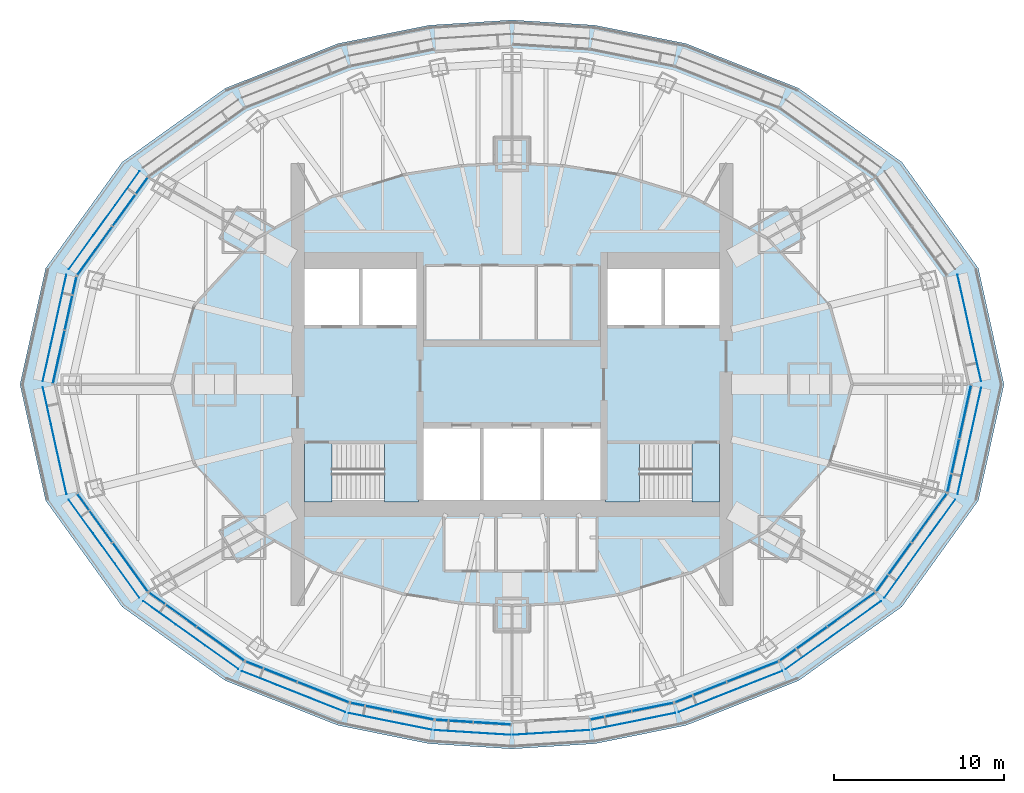
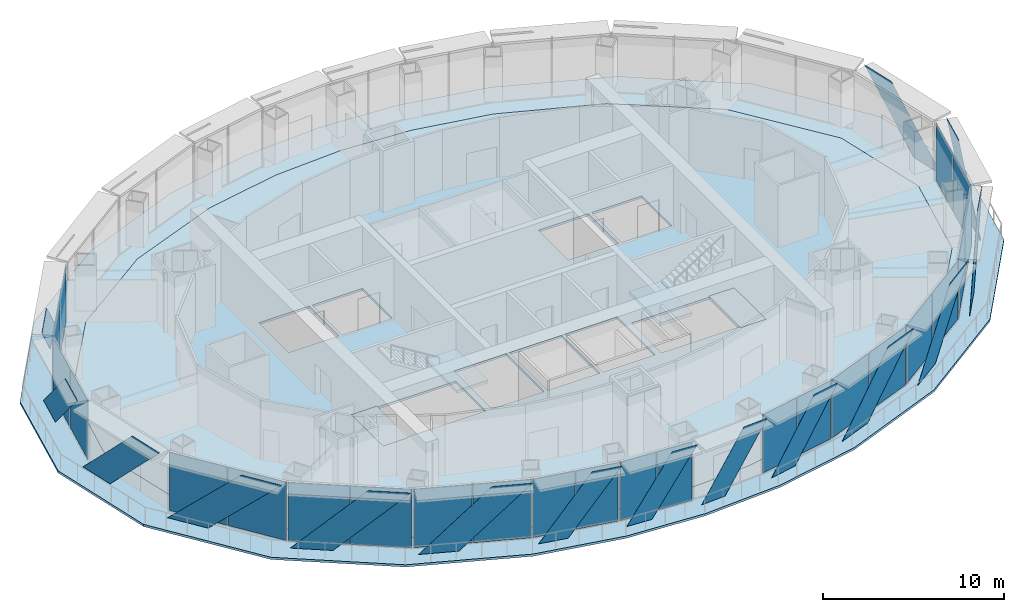
# One storey, part 9 of 17: 39 plates, 6 slabs, 14 elements without a shape of their own.
"""IFC4 building model written with IfcOpenShell, lengths in metres."""

from ifc_helpers import new_model, si_unit, direction, frame, origin, origin_2d, place, context, subcontext, project, spatial, polyline, rectangle, outline, extrude, material, layer, layer_set, type_object, element, aggregate, save


model = new_model("IFC4")

# Units and contexts
model_context = context("Model", 3, precision=1e-05, world=origin(), true_north=direction((0.0, 1.0)))
body_context = subcontext(model_context, "Body", "Model", "MODEL_VIEW")
ifc_project = project(units=[si_unit("LENGTHUNIT", "METRE"), si_unit("AREAUNIT", "SQUARE_METRE"), si_unit("VOLUMEUNIT", "CUBIC_METRE"), si_unit("PLANEANGLEUNIT", "RADIAN"), si_unit("MASSUNIT", "GRAM", prefix="KILO")], contexts=[model_context])

# Site, building, storey
site_placement = place(None, origin())
site = spatial("IfcSite", under=ifc_project, at=site_placement, CompositionType="ELEMENT")
building_placement = place(site_placement, origin())
building = spatial("IfcBuilding", under=site, at=building_placement, Name="Lantaw Convention Tower", CompositionType="ELEMENT")
storey_placement = place(building_placement, frame((0.0, 0.0, 199.0)))
storey = spatial("IfcBuildingStorey", under=building, at=storey_placement, Name="L46", CompositionType="ELEMENT", Elevation=199.0)

# Curtain wall, plates
ifc_material_1 = material(Name="Aluminium framed curtain wall", Category="aluminium")
curtain_wall_type = type_object("IfcCurtainWallType", Name="Office curtain wall high rise, pale aluminium", PredefinedType="USERDEFINED", material=ifc_material_1)
curtain_wall_1_placement = place(storey_placement, origin())
curtain_wall_1 = element("IfcCurtainWall", 1, at=curtain_wall_1_placement, inside=storey, type_object=curtain_wall_type, Name="Office curtain wall high rise, pale aluminium L46", ObjectType="UNITISED CURTAIN WALL", PredefinedType="USERDEFINED")
ifc_material_2 = material(Name="Clear insulating glass", Category="glass")
ifc_layer_1 = layer(ifc_material_2, 0.028076171875)
ifc_layer_set_1 = layer_set([ifc_layer_1], Name="CW-O2 panel 28")
plate_type_1 = type_object("IfcPlateType", Name="CW-O2 panel 28", PredefinedType="CURTAIN_PANEL", material=ifc_layer_set_1)
plate_1_placement = place(storey_placement, frame((-22.4404296875, 10.743896484375, 0.06494140625), z_axis=(0.0, 0.0, 1.0), x_axis=(-0.585157643865, -0.810919559405, 0.0)))
plate_1 = element("IfcPlate", 2, at=plate_1_placement, type_object=plate_type_1, Name="CW-O2 panel 1.1", PredefinedType="CURTAIN_PANEL", context=body_context, shape_type="SweptSolid", body=[
    extrude(rectangle(XDim=3.500732421875, YDim=0.028076171875, at=origin_2d()), origin(), (0.0, 0.0, 1.0), 3.919921875),
])
plate_2_placement = place(storey_placement, frame((-24.527099609375, 7.852294921875, 0.06494140625), z_axis=(0.0, 0.0, 1.0), x_axis=(-0.585157643865, -0.810919559405, 0.0)))
plate_2 = element("IfcPlate", 3, at=plate_2_placement, type_object=plate_type_1, Name="CW-O2 panel 2.1", PredefinedType="CURTAIN_PANEL", context=body_context, shape_type="SweptSolid", body=[
    extrude(rectangle(XDim=3.500732421875, YDim=0.028076171875, at=origin_2d()), origin(), (0.0, 0.0, 1.0), 3.919921875),
])
aggregate(curtain_wall_1, [plate_1, plate_2])

curtain_wall_2_placement = place(storey_placement, origin())
curtain_wall_2 = element("IfcCurtainWall", 4, at=curtain_wall_2_placement, inside=storey, type_object=curtain_wall_type, Name="Office curtain wall high rise, pale aluminium L46", ObjectType="UNITISED CURTAIN WALL", PredefinedType="USERDEFINED")
plate_3_placement = place(storey_placement, frame((-25.945556640625, 4.769287109375, 0.06494140625), z_axis=(0.0, 0.0, 1.0), x_axis=(-0.215891333626, -0.976417396437, 0.0)))
plate_3 = element("IfcPlate", 5, at=plate_3_placement, type_object=plate_type_1, Name="CW-O2 panel 1.1", PredefinedType="CURTAIN_PANEL", context=body_context, shape_type="SweptSolid", body=[
    extrude(rectangle(XDim=3.169677734375, YDim=0.028076171875, at=origin_2d()), origin(), (0.0, 0.0, 1.0), 3.919921875),
])
plate_4_placement = place(storey_placement, frame((-26.643798828125, 1.61083984375, 0.06494140625), z_axis=(0.0, 0.0, 1.0), x_axis=(-0.215891333626, -0.976417396437, 0.0)))
plate_4 = element("IfcPlate", 6, at=plate_4_placement, type_object=plate_type_1, Name="CW-O2 panel 2.1", PredefinedType="CURTAIN_PANEL", context=body_context, shape_type="SweptSolid", body=[
    extrude(rectangle(XDim=3.169677734375, YDim=0.028076171875, at=origin_2d()), origin(), (0.0, 0.0, 1.0), 3.919921875),
])
aggregate(curtain_wall_2, [plate_3, plate_4])

curtain_wall_3_placement = place(storey_placement, origin())
curtain_wall_3 = element("IfcCurtainWall", 7, at=curtain_wall_3_placement, inside=storey, type_object=curtain_wall_type, Name="Office curtain wall high rise, pale aluminium L46", ObjectType="UNITISED CURTAIN WALL", PredefinedType="USERDEFINED")
plate_5_placement = place(storey_placement, frame((-24.527099609375, -7.852294921875, 0.06494140625), z_axis=(0.0, 0.0, 1.0), x_axis=(0.585157643865, -0.810919559405, 0.0)))
plate_5 = element("IfcPlate", 8, at=plate_5_placement, type_object=plate_type_1, Name="CW-O2 panel 1.1", PredefinedType="CURTAIN_PANEL", context=body_context, shape_type="SweptSolid", body=[
    extrude(rectangle(XDim=3.500732421875, YDim=0.028076171875, at=origin_2d()), origin(), (0.0, 0.0, 1.0), 3.919921875),
])
plate_6_placement = place(storey_placement, frame((-22.4404296875, -10.743896484375, 0.06494140625), z_axis=(0.0, 0.0, 1.0), x_axis=(0.585157643865, -0.810919559405, 0.0)))
plate_6 = element("IfcPlate", 9, at=plate_6_placement, type_object=plate_type_1, Name="CW-O2 panel 2.1", PredefinedType="CURTAIN_PANEL", context=body_context, shape_type="SweptSolid", body=[
    extrude(rectangle(XDim=3.500732421875, YDim=0.028076171875, at=origin_2d()), origin(), (0.0, 0.0, 1.0), 3.919921875),
])
aggregate(curtain_wall_3, [plate_5, plate_6])

curtain_wall_4_placement = place(storey_placement, origin())
curtain_wall_4 = element("IfcCurtainWall", 10, at=curtain_wall_4_placement, inside=storey, type_object=curtain_wall_type, Name="Office curtain wall high rise, pale aluminium L46", ObjectType="UNITISED CURTAIN WALL", PredefinedType="USERDEFINED")
plate_7_placement = place(storey_placement, frame((-19.947509765625, -13.23828125, 0.06494140625), z_axis=(0.0, 0.0, 1.0), x_axis=(0.813672540482, -0.581323487281, 0.0)))
plate_7 = element("IfcPlate", 11, at=plate_7_placement, type_object=plate_type_1, Name="CW-O2 panel 1.1", PredefinedType="CURTAIN_PANEL", context=body_context, shape_type="SweptSolid", body=[
    extrude(rectangle(XDim=3.386474609375, YDim=0.028076171875, at=origin_2d()), origin(), (0.0, 0.0, 1.0), 3.919921875),
])
plate_8_placement = place(storey_placement, frame((-17.13916015625, -15.24462890625, 0.06494140625), z_axis=(0.0, 0.0, 1.0), x_axis=(0.813672540482, -0.581323487281, 0.0)))
plate_8 = element("IfcPlate", 12, at=plate_8_placement, type_object=plate_type_1, Name="CW-O2 panel 2.1", PredefinedType="CURTAIN_PANEL", context=body_context, shape_type="SweptSolid", body=[
    extrude(rectangle(XDim=3.386474609375, YDim=0.028076171875, at=origin_2d()), origin(), (0.0, 0.0, 1.0), 3.919921875),
])
aggregate(curtain_wall_4, [plate_7, plate_8])

curtain_wall_5_placement = place(storey_placement, origin())
curtain_wall_5 = element("IfcCurtainWall", 13, at=curtain_wall_5_placement, inside=storey, type_object=curtain_wall_type, Name="Office curtain wall high rise, pale aluminium L46", ObjectType="UNITISED CURTAIN WALL", PredefinedType="USERDEFINED")
plate_9_placement = place(storey_placement, frame((-14.14990234375, -16.8837890625, 0.06494140625), z_axis=(0.0, 0.0, 1.0), x_axis=(0.929761533743, -0.368162315252, 0.0)))
plate_9 = element("IfcPlate", 14, at=plate_9_placement, type_object=plate_type_1, Name="CW-O2 panel 1.1", PredefinedType="CURTAIN_PANEL", context=body_context, shape_type="SweptSolid", body=[
    extrude(rectangle(XDim=3.222900390625, YDim=0.028076171875, at=origin_2d()), origin(), (0.0, 0.0, 1.0), 3.919921875),
])
plate_10_placement = place(storey_placement, frame((-11.0927734375, -18.094482421875, 0.06494140625), z_axis=(0.0, 0.0, 1.0), x_axis=(0.929761533743, -0.368162315252, 0.0)))
plate_10 = element("IfcPlate", 15, at=plate_10_placement, type_object=plate_type_1, Name="CW-O2 panel 2.1", PredefinedType="CURTAIN_PANEL", context=body_context, shape_type="SweptSolid", body=[
    extrude(rectangle(XDim=3.222900390625, YDim=0.028076171875, at=origin_2d()), origin(), (0.0, 0.0, 1.0), 3.919921875),
])
aggregate(curtain_wall_5, [plate_9, plate_10])

curtain_wall_6_placement = place(storey_placement, origin())
curtain_wall_6 = element("IfcCurtainWall", 16, at=curtain_wall_6_placement, inside=storey, type_object=curtain_wall_type, Name="Office curtain wall high rise, pale aluminium L46", ObjectType="UNITISED CURTAIN WALL", PredefinedType="USERDEFINED")
plate_11_placement = place(storey_placement, frame((-8.2724609375, -18.96533203125, 0.06494140625), z_axis=(0.0, 0.0, 1.0), x_axis=(0.980366679695, -0.197183095987, 0.0)))
plate_11 = element("IfcPlate", 17, at=plate_11_placement, type_object=plate_type_1, Name="CW-O2 panel 1.1", PredefinedType="CURTAIN_PANEL", context=body_context, shape_type="SweptSolid", body=[
    extrude(rectangle(XDim=2.44384765625, YDim=0.028076171875, at=origin_2d()), origin(), (0.0, 0.0, 1.0), 3.919921875),
])
plate_12_placement = place(storey_placement, frame((-5.81298828125, -19.4599609375, 0.06494140625), z_axis=(0.0, 0.0, 1.0), x_axis=(0.980366679695, -0.197183095987, 0.0)))
plate_12 = element("IfcPlate", 18, at=plate_12_placement, type_object=plate_type_1, Name="CW-O2 panel 2.1", PredefinedType="CURTAIN_PANEL", context=body_context, shape_type="SweptSolid", body=[
    extrude(rectangle(XDim=2.44384765625, YDim=0.028076171875, at=origin_2d()), origin(), (0.0, 0.0, 1.0), 3.919921875),
])
aggregate(curtain_wall_6, [plate_11, plate_12])

curtain_wall_7_placement = place(storey_placement, origin())
curtain_wall_7 = element("IfcCurtainWall", 19, at=curtain_wall_7_placement, inside=storey, type_object=curtain_wall_type, Name="Office curtain wall high rise, pale aluminium L46", ObjectType="UNITISED CURTAIN WALL", PredefinedType="USERDEFINED")
plate_13_placement = place(storey_placement, frame((-3.397216796875, -19.786376953125, 0.06494140625), z_axis=(0.0, 0.0, 1.0), x_axis=(0.998028774865, -0.062757983884, 0.0)))
plate_13 = element("IfcPlate", 20, at=plate_13_placement, type_object=plate_type_1, Name="CW-O2 panel 1.1", PredefinedType="CURTAIN_PANEL", context=body_context, shape_type="SweptSolid", body=[
    extrude(rectangle(XDim=2.1826171875, YDim=0.028076171875, at=origin_2d()), origin(), (0.0, 0.0, 1.0), 3.919921875),
])
plate_14_placement = place(storey_placement, frame((-1.154052734375, -19.927490234375, 0.06494140625), z_axis=(0.0, 0.0, 1.0), x_axis=(0.998028774865, -0.062757983884, 0.0)))
plate_14 = element("IfcPlate", 21, at=plate_14_placement, type_object=plate_type_1, Name="CW-O2 panel 2.1", PredefinedType="CURTAIN_PANEL", context=body_context, shape_type="SweptSolid", body=[
    extrude(rectangle(XDim=2.1826171875, YDim=0.028076171875, at=origin_2d()), origin(), (0.0, 0.0, 1.0), 3.919921875),
])
aggregate(curtain_wall_7, [plate_13, plate_14])

curtain_wall_8_placement = place(storey_placement, origin())
curtain_wall_8 = element("IfcCurtainWall", 22, at=curtain_wall_8_placement, inside=storey, type_object=curtain_wall_type, Name="Office curtain wall high rise, pale aluminium L46", ObjectType="UNITISED CURTAIN WALL", PredefinedType="USERDEFINED")
plate_15_placement = place(storey_placement, frame((5.81298828125, -19.4599609375, 0.06494140625), z_axis=(0.0, 0.0, 1.0), x_axis=(0.980366679695, 0.197183095987, 0.0)))
plate_15 = element("IfcPlate", 23, at=plate_15_placement, type_object=plate_type_1, Name="CW-O2 panel 1.1", PredefinedType="CURTAIN_PANEL", context=body_context, shape_type="SweptSolid", body=[
    extrude(rectangle(XDim=2.44384765625, YDim=0.028076171875, at=origin_2d()), origin(), (0.0, 0.0, 1.0), 3.919921875),
])
plate_16_placement = place(storey_placement, frame((8.2724609375, -18.96533203125, 0.06494140625), z_axis=(0.0, 0.0, 1.0), x_axis=(0.980366679695, 0.197183095987, 0.0)))
plate_16 = element("IfcPlate", 24, at=plate_16_placement, type_object=plate_type_1, Name="CW-O2 panel 2.1", PredefinedType="CURTAIN_PANEL", context=body_context, shape_type="SweptSolid", body=[
    extrude(rectangle(XDim=2.44384765625, YDim=0.028076171875, at=origin_2d()), origin(), (0.0, 0.0, 1.0), 3.919921875),
])
aggregate(curtain_wall_8, [plate_15, plate_16])

curtain_wall_9_placement = place(storey_placement, origin())
curtain_wall_9 = element("IfcCurtainWall", 25, at=curtain_wall_9_placement, inside=storey, type_object=curtain_wall_type, Name="Office curtain wall high rise, pale aluminium L46", ObjectType="UNITISED CURTAIN WALL", PredefinedType="USERDEFINED")
plate_17_placement = place(storey_placement, frame((11.0927734375, -18.094482421875, 0.06494140625), z_axis=(0.0, 0.0, 1.0), x_axis=(0.929761533743, 0.368162315252, 0.0)))
plate_17 = element("IfcPlate", 26, at=plate_17_placement, type_object=plate_type_1, Name="CW-O2 panel 1.1", PredefinedType="CURTAIN_PANEL", context=body_context, shape_type="SweptSolid", body=[
    extrude(rectangle(XDim=3.222900390625, YDim=0.028076171875, at=origin_2d()), origin(), (0.0, 0.0, 1.0), 3.919921875),
])
plate_18_placement = place(storey_placement, frame((14.14990234375, -16.8837890625, 0.06494140625), z_axis=(0.0, 0.0, 1.0), x_axis=(0.929761533743, 0.368162315252, 0.0)))
plate_18 = element("IfcPlate", 27, at=plate_18_placement, type_object=plate_type_1, Name="CW-O2 panel 2.1", PredefinedType="CURTAIN_PANEL", context=body_context, shape_type="SweptSolid", body=[
    extrude(rectangle(XDim=3.222900390625, YDim=0.028076171875, at=origin_2d()), origin(), (0.0, 0.0, 1.0), 3.919921875),
])
aggregate(curtain_wall_9, [plate_17, plate_18])

curtain_wall_10_placement = place(storey_placement, origin())
curtain_wall_10 = element("IfcCurtainWall", 28, at=curtain_wall_10_placement, inside=storey, type_object=curtain_wall_type, Name="Office curtain wall high rise, pale aluminium L46", ObjectType="UNITISED CURTAIN WALL", PredefinedType="USERDEFINED")
plate_19_placement = place(storey_placement, frame((17.13916015625, -15.24462890625, 0.06494140625), z_axis=(0.0, 0.0, 1.0), x_axis=(0.813672540482, 0.581323487281, 0.0)))
plate_19 = element("IfcPlate", 29, at=plate_19_placement, type_object=plate_type_1, Name="CW-O2 panel 1.1", PredefinedType="CURTAIN_PANEL", context=body_context, shape_type="SweptSolid", body=[
    extrude(rectangle(XDim=3.386474609375, YDim=0.028076171875, at=origin_2d()), origin(), (0.0, 0.0, 1.0), 3.919921875),
])
plate_20_placement = place(storey_placement, frame((19.947509765625, -13.23828125, 0.06494140625), z_axis=(0.0, 0.0, 1.0), x_axis=(0.813672540482, 0.581323487281, 0.0)))
plate_20 = element("IfcPlate", 30, at=plate_20_placement, type_object=plate_type_1, Name="CW-O2 panel 2.1", PredefinedType="CURTAIN_PANEL", context=body_context, shape_type="SweptSolid", body=[
    extrude(rectangle(XDim=3.386474609375, YDim=0.028076171875, at=origin_2d()), origin(), (0.0, 0.0, 1.0), 3.919921875),
])
aggregate(curtain_wall_10, [plate_19, plate_20])

curtain_wall_11_placement = place(storey_placement, origin())
curtain_wall_11 = element("IfcCurtainWall", 31, at=curtain_wall_11_placement, inside=storey, type_object=curtain_wall_type, Name="Office curtain wall high rise, pale aluminium L46", ObjectType="UNITISED CURTAIN WALL", PredefinedType="USERDEFINED")
plate_21_placement = place(storey_placement, frame((22.4404296875, -10.743896484375, 0.06494140625), z_axis=(0.0, 0.0, 1.0), x_axis=(0.585157643865, 0.810919559405, 0.0)))
plate_21 = element("IfcPlate", 32, at=plate_21_placement, type_object=plate_type_1, Name="CW-O2 panel 1.1", PredefinedType="CURTAIN_PANEL", context=body_context, shape_type="SweptSolid", body=[
    extrude(rectangle(XDim=3.500732421875, YDim=0.028076171875, at=origin_2d()), origin(), (0.0, 0.0, 1.0), 3.919921875),
])
plate_22_placement = place(storey_placement, frame((24.527099609375, -7.852294921875, 0.06494140625), z_axis=(0.0, 0.0, 1.0), x_axis=(0.585157643865, 0.810919559405, 0.0)))
plate_22 = element("IfcPlate", 33, at=plate_22_placement, type_object=plate_type_1, Name="CW-O2 panel 2.1", PredefinedType="CURTAIN_PANEL", context=body_context, shape_type="SweptSolid", body=[
    extrude(rectangle(XDim=3.500732421875, YDim=0.028076171875, at=origin_2d()), origin(), (0.0, 0.0, 1.0), 3.919921875),
])
aggregate(curtain_wall_11, [plate_21, plate_22])

curtain_wall_12_placement = place(storey_placement, origin())
curtain_wall_12 = element("IfcCurtainWall", 34, at=curtain_wall_12_placement, inside=storey, type_object=curtain_wall_type, Name="Office curtain wall high rise, pale aluminium L46", ObjectType="UNITISED CURTAIN WALL", PredefinedType="USERDEFINED")
plate_23_placement = place(storey_placement, frame((25.945556640625, -4.769287109375, 0.06494140625), z_axis=(0.0, 0.0, 1.0), x_axis=(0.215891333626, 0.976417396437, 0.0)))
plate_23 = element("IfcPlate", 35, at=plate_23_placement, type_object=plate_type_1, Name="CW-O2 panel 1.1", PredefinedType="CURTAIN_PANEL", context=body_context, shape_type="SweptSolid", body=[
    extrude(rectangle(XDim=3.169677734375, YDim=0.028076171875, at=origin_2d()), origin(), (0.0, 0.0, 1.0), 3.919921875),
])
plate_24_placement = place(storey_placement, frame((26.643798828125, -1.61083984375, 0.06494140625), z_axis=(0.0, 0.0, 1.0), x_axis=(0.215891333626, 0.976417396437, 0.0)))
plate_24 = element("IfcPlate", 36, at=plate_24_placement, type_object=plate_type_1, Name="CW-O2 panel 2.1", PredefinedType="CURTAIN_PANEL", context=body_context, shape_type="SweptSolid", body=[
    extrude(rectangle(XDim=3.169677734375, YDim=0.028076171875, at=origin_2d()), origin(), (0.0, 0.0, 1.0), 3.919921875),
])
aggregate(curtain_wall_12, [plate_23, plate_24])

# Slab
ifc_material_3 = material(Name="Concrete C35/45", Category="concrete")
ifc_layer_2 = layer(ifc_material_3, 0.14990234375)
ifc_layer_set_2 = layer_set([ifc_layer_2], Name="Floor slab 150")
slab_type_1 = type_object("IfcSlabType", Name="Floor slab 150", PredefinedType="FLOOR", material=ifc_layer_set_2)
slab_1_placement = place(storey_placement, frame((0.0, 0.0, -0.14990234375)))
element("IfcSlab", 37, at=slab_1_placement, inside=storey, type_object=slab_type_1, Name="L46 floor slab", PredefinedType="FLOOR", context=body_context, shape_type="SweptSolid", body=[
    extrude(outline(polyline([(20.423095703125, -11.67041015625), (24.52197265625, -6.114013671875), (25.89990234375, 0.0), (24.52197265625, 6.114013671875), (20.423095703125, 11.67041015625), (14.9443359375, 15.475341796875), (9.03466796875, 17.7314453125), (4.303955078125, 18.64208984375), (0.0, 18.89990234375), (-4.303955078125, 18.64208984375), (-9.03466796875, 17.7314453125), (-14.9443359375, 15.475341796875), (-20.423095703125, 11.67041015625), (-24.52197265625, 6.114013671875), (-25.89990234375, 0.0), (-24.52197265625, -6.114013671875), (-20.423095703125, -11.67041015625), (-14.9443359375, -15.475341796875), (-9.03466796875, -17.7314453125), (-4.303955078125, -18.64208984375), (0.0, -18.89990234375), (4.303955078125, -18.64208984375), (9.03466796875, -17.7314453125), (14.9443359375, -15.475341796875), (20.423095703125, -11.67041015625)]), holes=[polyline([(-5.60009765625, -3.5), (-12.199951171875, -3.5), (-12.199951171875, -6.800048828125), (-5.60009765625, -6.800048828125), (-5.60009765625, -3.5)]), polyline([(12.199951171875, -3.5), (5.60009765625, -3.5), (5.60009765625, -6.800048828125), (12.199951171875, -6.800048828125), (12.199951171875, -3.5)]), polyline([(-1.86669921875, -2.60009765625), (-5.199951171875, -2.60009765625), (-5.199951171875, -6.800048828125), (-1.86669921875, -6.800048828125), (-1.86669921875, -2.60009765625)]), polyline([(1.666748046875, -2.60009765625), (-1.666748046875, -2.60009765625), (-1.666748046875, -6.800048828125), (1.666748046875, -6.800048828125), (1.666748046875, -2.60009765625)]), polyline([(5.199951171875, -2.60009765625), (1.86669921875, -2.60009765625), (1.86669921875, -6.800048828125), (5.199951171875, -6.800048828125), (5.199951171875, -2.60009765625)]), polyline([(-9.0, 6.800048828125), (-12.199951171875, 6.800048828125), (-12.199951171875, 3.5), (-9.0, 3.5), (-9.0, 6.800048828125)]), polyline([(-5.60009765625, 6.800048828125), (-8.800048828125, 6.800048828125), (-8.800048828125, 3.5), (-5.60009765625, 3.5), (-5.60009765625, 6.800048828125)]), polyline([(8.800048828125, 3.5), (8.800048828125, 6.800048828125), (5.60009765625, 6.800048828125), (5.60009765625, 3.5), (8.800048828125, 3.5)]), polyline([(12.199951171875, 3.5), (12.199951171875, 6.800048828125), (9.0, 6.800048828125), (9.0, 3.5), (12.199951171875, 3.5)])]), origin(), (0.0, 0.0, 1.0), 0.14990234375),
])

# Plates
ifc_material_4 = material(Name="Perforated aluminium sheet, pale silver finish", Category="aluminium")
ifc_layer_3 = layer(ifc_material_4, 0.006103515625)
ifc_layer_set_3 = layer_set([ifc_layer_3], Name="Perforated aluminium solar SCREEN panel")
plate_type_2 = type_object("IfcPlateType", Name="Perforated aluminium solar SCREEN panel", PredefinedType="SHEET", material=ifc_layer_set_3)
plate_25_placement = place(storey_placement, frame((27.580810546875, 0.1796875, -0.175048828125), z_axis=(0.976429511424, 0.215836529031, 4.4219438e-05), x_axis=(-0.215836529242, 0.976429512379, 0.0)))
element("IfcPlate", 38, at=plate_25_placement, inside=storey, type_object=plate_type_2, Name="Solar SCREEN panel", PredefinedType="SHEET", context=body_context, shape_type="SweptSolid", body=[
    extrude(outline(polyline([(0.0, 0.0), (2.2215525295212517, -3.3881317890172014e-21), (6.4341686174090675, 4.340087894868215), (4.212616087887817, 4.340087894868215), (0.0, 0.0)])), origin(), (0.0, 0.0, -1.0), 0.006103515625),
])
plate_26_placement = place(storey_placement, frame((-21.898681640625, 12.530029296875, -0.175048828125), z_axis=(-0.810892289695, 0.585195432394, 2.0458414e-05), x_axis=(-0.585195432516, -0.810892289865, 0.0)))
element("IfcPlate", 39, at=plate_26_placement, inside=storey, type_object=plate_type_2, Name="Solar SCREEN panel", PredefinedType="SHEET", context=body_context, shape_type="SweptSolid", body=[
    extrude(outline(polyline([(0.0, 0.0), (2.446848840683286, -6.776263578034403e-21), (7.09661046667572, 4.340087891533265), (4.649761625992435, 4.340087891533265), (0.0, 0.0)])), origin(), (0.0, 0.0, -1.0), 0.006103515625),
])
plate_27_placement = place(storey_placement, frame((-26.19189453125, 6.462158203125, -0.175048828125), z_axis=(0.976429511424, -0.215836529031, 4.4219438e-05), x_axis=(-0.215836529242, -0.976429512379, 0.0)))
element("IfcPlate", 40, at=plate_27_placement, inside=storey, type_object=plate_type_2, Name="Solar SCREEN panel", PredefinedType="SHEET", context=body_context, shape_type="SweptSolid", body=[
    extrude(outline(polyline([(0.0, 0.0), (2.2215525295212517, 3.3881317890172014e-21), (6.4341686174090675, -4.340087894868215), (4.212616087887817, -4.340087894868215), (0.0, 0.0)])), origin(), (0.0, 0.0, -1.0), 0.006103515625),
])
plate_28_placement = place(storey_placement, frame((-27.580810546875, -0.1796875, -0.175048828125), z_axis=(-0.976429511424, -0.215836529031, 4.4219438e-05), x_axis=(0.215836529242, -0.976429512379, 0.0)))
element("IfcPlate", 41, at=plate_28_placement, inside=storey, type_object=plate_type_2, Name="Solar SCREEN panel", PredefinedType="SHEET", context=body_context, shape_type="SweptSolid", body=[
    extrude(outline(polyline([(0.0, 0.0), (2.2215525295212517, -3.3881317890172014e-21), (6.4341686174090675, 4.340087894868215), (4.212616087887817, 4.340087894868215), (0.0, 0.0)])), origin(), (0.0, 0.0, -1.0), 0.006103515625),
])
plate_29_placement = place(storey_placement, frame((-26.051513671875, -6.775390625, -0.175048828125), z_axis=(0.810892289695, 0.585195432394, 2.0458414e-05), x_axis=(0.585195432516, -0.810892289865, 0.0)))
element("IfcPlate", 42, at=plate_29_placement, inside=storey, type_object=plate_type_2, Name="Solar SCREEN panel", PredefinedType="SHEET", context=body_context, shape_type="SweptSolid", body=[
    extrude(outline(polyline([(0.0, 0.0), (2.446848840683286, 6.776263578034403e-21), (7.09661046667572, -4.340087891533265), (4.649761625992435, -4.340087891533265), (0.0, 0.0)])), origin(), (0.0, 0.0, -1.0), 0.006103515625),
])
plate_30_placement = place(storey_placement, frame((-21.689697265625, -12.73828125, -0.175048828125), z_axis=(-0.581330799771, -0.813667316006, 1.0072414e-05), x_axis=(0.813667316047, -0.5813307998, 3.02e-10)))
element("IfcPlate", 43, at=plate_30_placement, inside=storey, type_object=plate_type_2, Name="Solar SCREEN panel", PredefinedType="SHEET", context=body_context, shape_type="SweptSolid", body=[
    extrude(outline(polyline([(0.0, 0.0), (2.3691416428668504, 0.0), (6.867806096558412, 4.34008788877314), (4.498863102938644, 4.340087890202622), (0.0, 0.0)])), origin(), (0.0, 0.0, -1.0), 0.006103515625),
])
plate_31_placement = place(storey_placement, frame((-15.88525390625, -16.8486328125, -0.175048828125), z_axis=(0.368116612072, 0.929779629081, 3.5533269e-05), x_axis=(0.929779629668, -0.368116612304, -1.786e-09)))
element("IfcPlate", 44, at=plate_31_placement, inside=storey, type_object=plate_type_2, Name="Solar SCREEN panel", PredefinedType="SHEET", context=body_context, shape_type="SweptSolid", body=[
    extrude(outline(polyline([(0.0, 0.0), (2.2578720663572183, -3.3881317890172014e-21), (6.540904465438181, -4.340087905048178), (4.282942526861161, -4.340087896982072), (0.0, 0.0)])), origin(), (0.0, 0.0, -1.0), 0.006103515625),
])
plate_32_placement = place(storey_placement, frame((-9.6044921875, -19.315673828125, -0.175048828125), z_axis=(0.197162069853, 0.980370908428, 1.0904083e-05), x_axis=(0.980370908486, -0.197162069865, -7.55e-10)))
element("IfcPlate", 45, at=plate_32_placement, inside=storey, type_object=plate_type_2, Name="Solar SCREEN panel", PredefinedType="SHEET", context=body_context, shape_type="SweptSolid", body=[
    extrude(outline(polyline([(0.0, 0.0), (1.7279870169553606, 8.470329472543003e-22), (4.982578440602753, -4.340087894645749), (3.2545432883764285, -4.340087892035838), (0.0, 0.0)])), origin(), (0.0, 0.0, -1.0), 0.006103515625),
])
plate_33_placement = place(storey_placement, frame((-4.539306640625, -20.32177734375, -0.175048828125), z_axis=(0.062672387577, 0.998034151922, 5.858668e-05), x_axis=(0.998034153635, -0.062672387685, 0.0)))
element("IfcPlate", 46, at=plate_33_placement, inside=storey, type_object=plate_type_2, Name="Solar SCREEN panel", PredefinedType="SHEET", context=body_context, shape_type="SweptSolid", body=[
    extrude(outline(polyline([(0.0, 0.0), (1.5504111513762302, 8.470329472543003e-22), (4.460200019412434, -4.340087898073457), (2.9097888680362036, -4.340087898073457), (0.0, 0.0)])), origin(), (0.0, 0.0, -1.0), 0.006103515625),
])
plate_34_placement = place(storey_placement, frame((0.087890625, -20.6015625, -0.175048828125), z_axis=(0.062672387577, -0.998034151922, 5.858668e-05), x_axis=(0.998034153635, 0.062672387685, 0.0)))
element("IfcPlate", 47, at=plate_34_placement, inside=storey, type_object=plate_type_2, Name="Solar SCREEN panel", PredefinedType="SHEET", context=body_context, shape_type="SweptSolid", body=[
    extrude(outline(polyline([(0.0, 0.0), (1.5504111513762302, -8.470329472543003e-22), (4.460200019412434, 4.340087898073457), (2.9097888680362036, 4.340087898073457), (0.0, 0.0)])), origin(), (0.0, 0.0, -1.0), 0.006103515625),
])
plate_35_placement = place(storey_placement, frame((4.7197265625, -20.298095703125, -0.175048828125), z_axis=(0.197162069853, -0.980370908428, 1.0904083e-05), x_axis=(0.980370908486, 0.197162069865, 7.55e-10)))
element("IfcPlate", 48, at=plate_35_placement, inside=storey, type_object=plate_type_2, Name="Solar SCREEN panel", PredefinedType="SHEET", context=body_context, shape_type="SweptSolid", body=[
    extrude(outline(polyline([(0.0, 0.0), (1.7280351522263238, 4.235164736271502e-22), (4.982578447157737, 4.34008788712039), (3.2545914302023755, 4.340087889730228), (0.0, 0.0)])), origin(), (0.0, 0.0, -1.0), 0.006103515625),
])
plate_36_placement = place(storey_placement, frame((9.8037109375, -19.256591796875, -0.175048828125), z_axis=(0.368116612072, -0.929779629081, 3.5533269e-05), x_axis=(0.929779629668, 0.368116612304, 1.786e-09)))
element("IfcPlate", 49, at=plate_36_placement, inside=storey, type_object=plate_type_2, Name="Solar SCREEN panel", PredefinedType="SHEET", context=body_context, shape_type="SweptSolid", body=[
    extrude(outline(polyline([(0.0, 0.0), (2.257961938577019, 0.0), (6.540904480942253, 4.34008788168214), (4.283032414585035, 4.340087889747925), (0.0, 0.0)])), origin(), (0.0, 0.0, -1.0), 0.006103515625),
])
plate_37_placement = place(storey_placement, frame((16.1015625, -16.730712890625, -0.175048828125), z_axis=(-0.581330799771, 0.813667316006, 1.0072414e-05), x_axis=(0.813667316047, 0.5813307998, -3.02e-10)))
element("IfcPlate", 50, at=plate_37_placement, inside=storey, type_object=plate_type_2, Name="Solar SCREEN panel", PredefinedType="SHEET", context=body_context, shape_type="SweptSolid", body=[
    extrude(outline(polyline([(0.0, 0.0), (2.3689429936197683, -1.6940658945086007e-21), (6.867806093939489, -4.340087892917353), (4.498664451072639, -4.340087891487751), (0.0, 0.0)])), origin(), (0.0, 0.0, -1.0), 0.006103515625),
])
plate_38_placement = place(storey_placement, frame((21.898681640625, -12.530029296875, -0.175048828125), z_axis=(0.810892289695, -0.585195432394, 2.0458414e-05), x_axis=(0.585195432516, 0.810892289865, 0.0)))
element("IfcPlate", 51, at=plate_38_placement, inside=storey, type_object=plate_type_2, Name="Solar SCREEN panel", PredefinedType="SHEET", context=body_context, shape_type="SweptSolid", body=[
    extrude(outline(polyline([(0.0, 0.0), (2.446848840683286, -6.776263578034403e-21), (7.09661046667572, 4.340087891533265), (4.649761625992435, 4.340087891533265), (0.0, 0.0)])), origin(), (0.0, 0.0, -1.0), 0.006103515625),
])
plate_39_placement = place(storey_placement, frame((26.19189453125, -6.462158203125, -0.175048828125), z_axis=(-0.976429511424, 0.215836529031, 4.4219438e-05), x_axis=(0.215836529242, 0.976429512379, 0.0)))
element("IfcPlate", 52, at=plate_39_placement, inside=storey, type_object=plate_type_2, Name="Solar SCREEN panel", PredefinedType="SHEET", context=body_context, shape_type="SweptSolid", body=[
    extrude(outline(polyline([(0.0, 0.0), (2.2215525295212517, 3.3881317890172014e-21), (6.4341686174090675, -4.340087894868215), (4.212616087887817, -4.340087894868215), (0.0, 0.0)])), origin(), (0.0, 0.0, -1.0), 0.006103515625),
])

# Stair, slabs
stair_type = type_object("IfcStairType", Name="Exit stair 1500 riser 175 in 2 flights", PredefinedType="HALF_TURN_STAIR", material=ifc_material_3)
stair_1_placement = place(storey_placement, origin())
stair_1 = element("IfcStair", 53, at=stair_1_placement, inside=storey, type_object=stair_type, Name="Exit stair S1 L46", PredefinedType="HALF_TURN_STAIR")
ifc_layer_4 = layer(ifc_material_3, 0.199951171875)
ifc_layer_set_4 = layer_set([ifc_layer_4], Name="Stair landing 200")
slab_type_2 = type_object("IfcSlabType", Name="Stair landing 200", PredefinedType="LANDING", material=ifc_layer_set_4)
slab_2_placement = place(storey_placement, frame((0.0, 0.0, -0.199951171875)))
slab_2 = element("IfcSlab", 54, at=slab_2_placement, type_object=slab_type_2, Name="S1 landing 1", PredefinedType="LANDING", context=body_context, shape_type="SweptSolid", body=[
    extrude(outline(polyline([(-12.199951171875, -6.89990234375), (-10.580078125, -6.89990234375), (-10.580078125, -3.39990234375), (-12.199951171875, -3.39990234375), (-12.199951171875, -6.89990234375)])), origin(), (0.0, 0.0, 1.0), 0.199951171875),
])
slab_3_placement = place(storey_placement, frame((0.0, 0.0, 1.89990234375)))
slab_3 = element("IfcSlab", 55, at=slab_3_placement, type_object=slab_type_2, Name="S1 landing 2", PredefinedType="LANDING", context=body_context, shape_type="SweptSolid", body=[
    extrude(outline(polyline([(-7.5, -6.89990234375), (-5.5, -6.89990234375), (-5.5, -3.39990234375), (-7.5, -3.39990234375), (-7.5, -6.89990234375)])), origin(), (0.0, 0.0, 1.0), 0.2001953125),
])
aggregate(stair_1, [slab_2, slab_3])

stair_2_placement = place(storey_placement, origin())
stair_2 = element("IfcStair", 56, at=stair_2_placement, inside=storey, type_object=stair_type, Name="Exit stair S2 L46", PredefinedType="HALF_TURN_STAIR")
slab_4_placement = place(storey_placement, frame((0.0, 0.0, -0.199951171875)))
slab_4 = element("IfcSlab", 57, at=slab_4_placement, type_object=slab_type_2, Name="S2 landing 1", PredefinedType="LANDING", context=body_context, shape_type="SweptSolid", body=[
    extrude(outline(polyline([(10.580078125, -6.89990234375), (12.199951171875, -6.89990234375), (12.199951171875, -3.39990234375), (10.580078125, -3.39990234375), (10.580078125, -6.89990234375)])), origin(), (0.0, 0.0, 1.0), 0.199951171875),
])
slab_5_placement = place(storey_placement, frame((0.0, 0.0, 1.89990234375)))
slab_5 = element("IfcSlab", 58, at=slab_5_placement, type_object=slab_type_2, Name="S2 landing 2", PredefinedType="LANDING", context=body_context, shape_type="SweptSolid", body=[
    extrude(outline(polyline([(5.5, -6.89990234375), (7.5, -6.89990234375), (7.5, -3.39990234375), (5.5, -3.39990234375), (5.5, -6.89990234375)])), origin(), (0.0, 0.0, 1.0), 0.2001953125),
])
aggregate(stair_2, [slab_4, slab_5])

# Slab
ifc_layer_5 = layer(ifc_material_3, 0.14990234375)
ifc_layer_set_5 = layer_set([ifc_layer_5], Name="Terrace floor slab 150")
slab_type_3 = type_object("IfcSlabType", Name="Terrace floor slab 150", PredefinedType="FLOOR", material=ifc_layer_set_5)
slab_6_placement = place(storey_placement, frame((0.0, 0.0, -0.14990234375)))
element("IfcSlab", 59, at=slab_6_placement, inside=storey, type_object=slab_type_3, Name="L46 sky garden terrace", PredefinedType="FLOOR", context=body_context, shape_type="SweptSolid", body=[
    extrude(outline(polyline([(16.845458984375, -17.415283203125), (22.915283203125, -13.0712890625), (27.417236328125, -6.822021484375), (28.923095703125, 0.0), (27.417236328125, 6.822021484375), (22.915283203125, 13.0712890625), (16.845458984375, 17.415283203125), (10.2265625, 20.04052734375), (4.8828125, 21.1171875), (0.0, 21.4248046875), (-4.8828125, 21.1171875), (-10.2265625, 20.04052734375), (-16.845458984375, 17.415283203125), (-22.915283203125, 13.0712890625), (-27.417236328125, 6.822021484375), (-28.923095703125, 0.0), (-27.417236328125, -6.822021484375), (-22.915283203125, -13.0712890625), (-16.845458984375, -17.415283203125), (-10.2265625, -20.04052734375), (-4.8828125, -21.1171875), (0.0, -21.4248046875), (4.8828125, -21.1171875), (10.2265625, -20.04052734375), (16.845458984375, -17.415283203125)]), holes=[polyline([(14.9443359375, 15.475341796875), (9.03466796875, 17.7314453125), (4.303955078125, 18.64208984375), (0.0, 18.89990234375), (-4.303955078125, 18.64208984375), (-9.03466796875, 17.7314453125), (-14.9443359375, 15.475341796875), (-20.423095703125, 11.67041015625), (-24.52197265625, 6.114013671875), (-25.89990234375, 0.0), (-24.52197265625, -6.114013671875), (-20.423095703125, -11.67041015625), (-14.9443359375, -15.475341796875), (-9.03466796875, -17.7314453125), (-4.303955078125, -18.64208984375), (0.0, -18.89990234375), (4.303955078125, -18.64208984375), (9.03466796875, -17.7314453125), (14.9443359375, -15.475341796875), (20.423095703125, -11.67041015625), (24.52197265625, -6.114013671875), (25.89990234375, 0.0), (24.52197265625, 6.114013671875), (20.423095703125, 11.67041015625), (14.9443359375, 15.475341796875)])]), origin(), (0.0, 0.0, 1.0), 0.14990234375),
])

save(model, "model.ifc")
